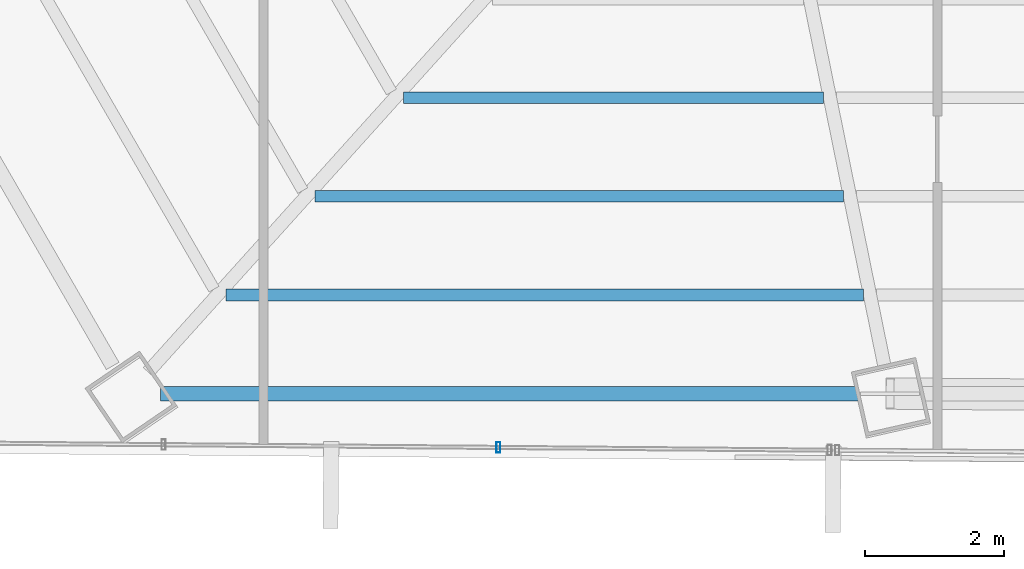
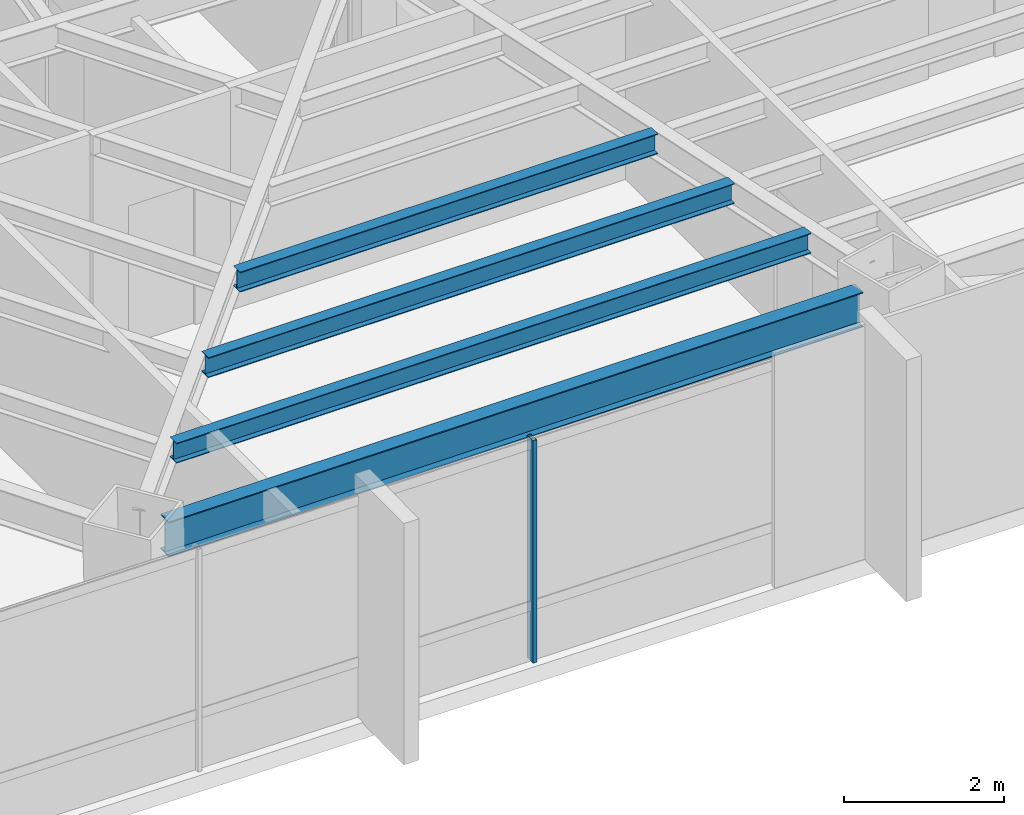
# One storey, part 4 of 38: 4 beams, 1 member, 1 element without a shape of its own.
"""IFC4 building model written with IfcOpenShell, lengths in metres."""

import ifcopenshell
import ifcopenshell.guid

model = None  # the IFC model being written
_history = None  # IfcOwnerHistory: only IFC2X3 demands one
_inside = {}  # id of a spatial element -> (the spatial element, [elements in it])
_under = {}  # id of a project, library or spatial element -> (it, [spatial elements below it])
_declared = {}  # id of a project -> (the project, [libraries it declares])
_typed = {}  # id of a type object -> (the type object, [elements of that type])
_made_of = {}  # id of a material, layer set ... -> (it, [elements and type objects made of it])


def new_model(schema):
    """Start an empty IFC model of exactly this schema.

    Asked for "IFC4X3", IfcOpenShell would pick the latest addendum, in which some entities
    have other attributes; the version numbers below select the first issue.
    IFC2X3 requires an IfcOwnerHistory on every rooted entity: one is made here for all.
    """
    global model, _history
    if schema == "IFC4X3":
        model = ifcopenshell.file(schema_version=(4, 3, 0, 0))
    else:
        model = ifcopenshell.file(schema=schema)
    _inside.clear()
    _under.clear()
    _declared.clear()
    _typed.clear()
    _made_of.clear()
    _history = None
    if model.schema == "IFC2X3":
        org = make("IfcOrganization", Name="unknown")
        user = make(
            "IfcPersonAndOrganization",
            ThePerson=make("IfcPerson", FamilyName="unknown"),
            TheOrganization=org,
        )
        app = make(
            "IfcApplication",
            ApplicationDeveloper=org,
            Version="unknown",
            ApplicationFullName="unknown",
            ApplicationIdentifier="unknown",
        )
        _history = make(
            "IfcOwnerHistory",
            OwningUser=user,
            OwningApplication=app,
            ChangeAction="ADDED",
            CreationDate=0,
        )
    return model


def make(cls, **values):
    """One entity of the class cls with the attributes given. An attribute that is None is left unset."""
    return model.create_entity(
        cls, **{name: value for name, value in values.items() if value is not None}
    )


def rooted(cls, **values):
    """An entity with a GlobalId (a new one), such as an element, a storey or a relation."""
    return make(cls, GlobalId=ifcopenshell.guid.new(), OwnerHistory=_history, **values)


def si_unit(unit_type, name, prefix=None):
    """IfcSIUnit, for example si_unit("LENGTHUNIT", "METRE", prefix="MILLI")."""
    return make("IfcSIUnit", UnitType=unit_type, Prefix=prefix, Name=name)


def assignment(units):
    """IfcUnitAssignment: the units of a project."""
    return None if units is None else make("IfcUnitAssignment", Units=units)


def point(xyz):
    """IfcCartesianPoint."""
    return None if xyz is None else make("IfcCartesianPoint", Coordinates=xyz)


def direction(xyz):
    """IfcDirection."""
    return None if xyz is None else make("IfcDirection", DirectionRatios=xyz)


def frame(location, z_axis=None, x_axis=None):
    """IfcAxis2Placement3D, a coordinate frame: its origin and axes. An axis left out is left unset."""
    return make(
        "IfcAxis2Placement3D",
        Location=point(location),
        Axis=direction(z_axis),
        RefDirection=direction(x_axis),
    )


def frame_2d(location, x_axis=None):
    """IfcAxis2Placement2D, a coordinate frame in the plane: its origin and x axis."""
    return make(
        "IfcAxis2Placement2D", Location=point(location), RefDirection=direction(x_axis)
    )


def origin():
    """The frame at (0, 0, 0) with its axes left unset."""
    return frame((0.0, 0.0, 0.0))


def origin_2d():
    """The frame at (0, 0) in the plane with its x axis left unset."""
    return frame_2d((0.0, 0.0))


def place(relative_to, where):
    """IfcLocalPlacement: puts the frame where relative to a parent placement (None: the world)."""
    return make(
        "IfcLocalPlacement", PlacementRelTo=relative_to, RelativePlacement=where
    )


def context(
    kind, dimensions, precision=None, world=None, true_north=None, identifier=None
):
    """IfcGeometricRepresentationContext, for example the 3D "Model" context."""
    return make(
        "IfcGeometricRepresentationContext",
        ContextIdentifier=identifier,
        ContextType=kind,
        CoordinateSpaceDimension=dimensions,
        Precision=precision,
        WorldCoordinateSystem=world,
        TrueNorth=true_north,
    )


def subcontext(parent, identifier, kind, view, scale=None):
    """IfcGeometricRepresentationSubContext, for example "Body" below "Model"."""
    return make(
        "IfcGeometricRepresentationSubContext",
        ContextIdentifier=identifier,
        ContextType=kind,
        ParentContext=parent,
        TargetScale=scale,
        TargetView=view,
    )


def project(units=None, contexts=None):
    """IfcProject with its units and contexts."""
    return rooted(
        "IfcProject",
        Name="project",
        RepresentationContexts=contexts,
        UnitsInContext=assignment(units),
    )


def spatial(cls, under=None, at=None, **own):
    """A site, building, storey or space (cls), placed at a placement, below another one or the project."""
    s = rooted(cls, ObjectPlacement=at, **own)
    if under is not None:
        _under.setdefault(under.id(), (under, []))[1].append(s)
    return s


def profile(cls, at=None, kind="AREA", **sizes):
    """A parametric profile (cls). Its sizes go by their IFC names, for example OverallWidth=200.0."""
    return make(cls, ProfileType=kind, Position=at, **sizes)


def hollow_rectangle(**sizes):
    """IfcRectangleHollowProfileDef."""
    return profile("IfcRectangleHollowProfileDef", **sizes)


def i_section(**sizes):
    """IfcIShapeProfileDef."""
    return profile("IfcIShapeProfileDef", **sizes)


def extrude(swept, where, along, depth):
    """IfcExtrudedAreaSolid: the profile swept, set in the frame where, extruded along a direction by depth."""
    return make(
        "IfcExtrudedAreaSolid",
        SweptArea=swept,
        Position=where,
        ExtrudedDirection=direction(along),
        Depth=depth,
    )


def shape(context_of_items, identifier, shape_type, items):
    """IfcShapeRepresentation: the items that make up one representation, for example the "Body"."""
    return make(
        "IfcShapeRepresentation",
        ContextOfItems=context_of_items,
        RepresentationIdentifier=identifier,
        RepresentationType=shape_type,
        Items=items,
    )


def source(mapping_origin, context_of_items, identifier, shape_type, items):
    """IfcRepresentationMap: a shape defined once, which mapped items show again and again."""
    return make(
        "IfcRepresentationMap",
        MappingOrigin=mapping_origin,
        MappedRepresentation=shape(context_of_items, identifier, shape_type, items),
    )


def transform(
    local_origin,
    x_axis=None,
    y_axis=None,
    z_axis=None,
    scale=None,
    scale2=None,
    scale3=None,
    uniform=True,
):
    """IfcCartesianTransformationOperator3D, or its non-uniform kind. x_axis, y_axis, z_axis: its Axis1, 2, 3."""
    if uniform:
        return make(
            "IfcCartesianTransformationOperator3D",
            Axis1=direction(x_axis),
            Axis2=direction(y_axis),
            LocalOrigin=point(local_origin),
            Scale=scale,
            Axis3=direction(z_axis),
        )
    return make(
        "IfcCartesianTransformationOperator3DnonUniform",
        Axis1=direction(x_axis),
        Axis2=direction(y_axis),
        LocalOrigin=point(local_origin),
        Scale=scale,
        Axis3=direction(z_axis),
        Scale2=scale2,
        Scale3=scale3,
    )


def mapped(mapping_source, mapping_target):
    """IfcMappedItem: shows the shape of a source again, moved by a transform."""
    return make(
        "IfcMappedItem", MappingSource=mapping_source, MappingTarget=mapping_target
    )


def material(Name=None, Category=None):
    """IfcMaterial."""
    return make("IfcMaterial", Name=Name, Category=Category)


def material_profile(
    of_material, cross_section, Name=None, Category=None, Priority=None
):
    """IfcMaterialProfile: a cross section and its material."""
    return make(
        "IfcMaterialProfile",
        Name=Name,
        Material=of_material,
        Profile=cross_section,
        Priority=Priority,
        Category=Category,
    )


def profile_set(profiles, Name=None, composite=None):
    """IfcMaterialProfileSet."""
    return make(
        "IfcMaterialProfileSet",
        Name=Name,
        MaterialProfiles=profiles,
        CompositeProfile=composite,
    )


def made_of(thing, what):
    """Note that an element or type object is made of a material, layer set ...; save() writes the relation."""
    if what is not None:
        _made_of.setdefault(what.id(), (what, []))[1].append(thing)
    return thing


def type_object(cls, material=None, **own):
    """A type object (cls), such as IfcWallType, which elements share."""
    return made_of(rooted(cls, **own), material)


def type_shapes(of_type, sources):
    """Give a type object the sources (RepresentationMaps) that its elements show as mapped items."""
    of_type.RepresentationMaps = sources


def element(
    cls,
    number,
    at=None,
    inside=None,
    cuts=None,
    type_object=None,
    material=None,
    context=None,
    identifier="Body",
    shape_type=None,
    held_by="IfcProductDefinitionShape",
    body=None,
    shapes=None,
    **own,
):
    """One element of the class cls, such as IfcWall. Its Tag is "e" and its number.

    at: its placement. inside: the storey or other place that contains it. cuts: it is an
    opening in that element (IfcRelVoidsElement). A single representation is given by context,
    identifier, shape_type and body (its items); several are given by shapes. held_by: the class
    of the entity that holds the representations. save() writes the other relations.
    """
    e = rooted(cls, Tag="e%d" % number, ObjectPlacement=at, **own)
    if body is not None:
        shapes = [shape(context, identifier, shape_type, body)]
    if shapes is not None:
        e.Representation = make(held_by, Representations=shapes)
    if inside is not None:
        _inside.setdefault(inside.id(), (inside, []))[1].append(e)
    if cuts is not None:
        rooted(
            "IfcRelVoidsElement", RelatingBuildingElement=cuts, RelatedOpeningElement=e
        )
    if type_object is not None:
        _typed.setdefault(type_object.id(), (type_object, []))[1].append(e)
    return made_of(e, material)


def aggregate(whole, parts):
    """IfcRelAggregates: a whole, such as a stair, and the parts it consists of."""
    return rooted("IfcRelAggregates", RelatingObject=whole, RelatedObjects=parts)


def save(model, path):
    """Write the relations noted so far, then the file.

    IfcRelAggregates (storeys below a building ...), IfcRelContainedInSpatialStructure (elements
    in a storey), IfcRelDefinesByType, IfcRelAssociatesMaterial and IfcRelDeclares: one each for
    every whole, place, type object, material and project.
    """
    for whole, parts in _under.values():
        aggregate(whole, parts)
    for where, things in _inside.values():
        rooted(
            "IfcRelContainedInSpatialStructure",
            RelatedElements=things,
            RelatingStructure=where,
        )
    for kind, things in _typed.values():
        rooted("IfcRelDefinesByType", RelatedObjects=things, RelatingType=kind)
    for what, things in _made_of.values():
        rooted("IfcRelAssociatesMaterial", RelatedObjects=things, RelatingMaterial=what)
    for by, libraries in _declared.values():
        rooted("IfcRelDeclares", RelatingContext=by, RelatedDefinitions=libraries)
    model.write(path)


model = new_model("IFC4")

# Units and contexts
model_context = context("Model", 3, precision=1e-05, world=origin(), true_north=direction((0.0, 1.0)))
body_context = subcontext(model_context, "Body", "Model", "MODEL_VIEW")
ifc_project = project(units=[si_unit("LENGTHUNIT", "METRE"), si_unit("AREAUNIT", "SQUARE_METRE"), si_unit("VOLUMEUNIT", "CUBIC_METRE"), si_unit("PLANEANGLEUNIT", "RADIAN"), si_unit("MASSUNIT", "GRAM", prefix="KILO")], contexts=[model_context])

# Site, building, storey
site_placement = place(None, origin())
site = spatial("IfcSite", under=ifc_project, at=site_placement, CompositionType="ELEMENT")
building_placement = place(site_placement, origin())
building = spatial("IfcBuilding", under=site, at=building_placement, Name="Caelisora Broadcast Tower", CompositionType="ELEMENT")
storey_placement = place(building_placement, frame((0.0, 0.0, 158.5)))
storey = spatial("IfcBuildingStorey", under=building, at=storey_placement, Name="L41", CompositionType="ELEMENT", Elevation=158.5)

# Beams
ifc_material_1 = material(Name="Steel Grade 350 (AS/NZS 3679.1)", Category="steel")
ifc_material_profile_1 = material_profile(ifc_material_1, i_section(OverallWidth=0.208984375, OverallDepth=0.532958984375, WebThickness=0.01025390625, FlangeThickness=0.015625, at=origin_2d()), Name="Steel Grade 350 (AS/NZS 3679.1)")
ifc_profile_set_1 = profile_set([ifc_material_profile_1], Name="Steel Grade 350 (AS/NZS 3679.1)")
beam_type_1 = type_object("IfcBeamType", Name="PG05", PredefinedType="BEAM", material=ifc_profile_set_1)
shared_shape_1 = source(origin(), body_context, "Body", "SweptSolid", [
    extrude(i_section(OverallWidth=0.208984375, OverallDepth=0.532958984375, WebThickness=0.01025390625, FlangeThickness=0.015625, at=origin_2d()), origin(), (0.0, 0.0, 1.0), 10.043212890625),
])
type_shapes(beam_type_1, [shared_shape_1])
beam_1_placement = place(storey_placement, frame((22.015380859375, 7.465087890625, 3.133544921875), z_axis=(1.0, 0.0, 0.0), x_axis=(0.0, 1.0, 0.0)))
element("IfcBeam", 1, at=beam_1_placement, inside=storey, type_object=beam_type_1, Name="L41 beam PG05", PredefinedType="BEAM", context=body_context, shape_type="MappedRepresentation", body=[
    mapped(shared_shape_1, transform((0.0, 0.0, 0.0), scale=1.0)),
])
ifc_material_profile_2 = material_profile(ifc_material_1, i_section(OverallWidth=0.166015625, OverallDepth=0.30712890625, WebThickness=0.006591796875, FlangeThickness=0.01171875, at=origin_2d()), Name="Steel Grade 350 (AS/NZS 3679.1)")
ifc_profile_set_2 = profile_set([ifc_material_profile_2], Name="Steel Grade 350 (AS/NZS 3679.1)")
beam_type_2 = type_object("IfcBeamType", Name="SB03", PredefinedType="JOIST", material=ifc_profile_set_2)
shared_shape_2 = source(origin(), body_context, "Body", "SweptSolid", [
    extrude(i_section(OverallWidth=0.166015625, OverallDepth=0.30712890625, WebThickness=0.006591796875, FlangeThickness=0.01171875, at=origin_2d()), origin(), (0.0, 0.0, 1.0), 6.04443359375),
])
beam_2_placement = place(storey_placement, frame((25.514404296875, 11.722900390625, 3.246337890625), z_axis=(1.0, 0.0, 0.0), x_axis=(0.0, 1.0, 0.0)))
element("IfcBeam", 2, at=beam_2_placement, inside=storey, type_object=beam_type_2, Name="L41 beam SB03", PredefinedType="JOIST", context=body_context, shape_type="MappedRepresentation", body=[
    mapped(shared_shape_2, transform((0.0, 0.0, 0.0), scale=1.0)),
])
shared_shape_3 = source(origin(), body_context, "Body", "SweptSolid", [
    extrude(i_section(OverallWidth=0.166015625, OverallDepth=0.30712890625, WebThickness=0.006591796875, FlangeThickness=0.01171875, at=origin_2d()), origin(), (0.0, 0.0, 1.0), 7.61083984375),
])
beam_3_placement = place(storey_placement, frame((24.236572265625, 10.3037109375, 3.246337890625), z_axis=(1.0, 0.0, 0.0), x_axis=(0.0, 1.0, 0.0)))
element("IfcBeam", 3, at=beam_3_placement, inside=storey, type_object=beam_type_2, Name="L41 beam SB03", PredefinedType="JOIST", context=body_context, shape_type="MappedRepresentation", body=[
    mapped(shared_shape_3, transform((0.0, 0.0, 0.0), scale=1.0)),
])
shared_shape_4 = source(origin(), body_context, "Body", "SweptSolid", [
    extrude(i_section(OverallWidth=0.166015625, OverallDepth=0.30712890625, WebThickness=0.006591796875, FlangeThickness=0.01171875, at=origin_2d()), origin(), (0.0, 0.0, 1.0), 9.1767578125),
])
type_shapes(beam_type_2, [shared_shape_2, shared_shape_3, shared_shape_4])
beam_4_placement = place(storey_placement, frame((22.958740234375, 8.884521484375, 3.246337890625), z_axis=(1.0, 0.0, 0.0), x_axis=(0.0, 1.0, 0.0)))
element("IfcBeam", 4, at=beam_4_placement, inside=storey, type_object=beam_type_2, Name="L41 beam SB03", PredefinedType="JOIST", context=body_context, shape_type="MappedRepresentation", body=[
    mapped(shared_shape_4, transform((0.0, 0.0, 0.0), scale=1.0)),
])

# Curtain wall, member
ifc_material_2 = material(Name="Unitised Aluminium and Low-E Glass Curtain Wall", Category="glass")
curtain_wall_type = type_object("IfcCurtainWallType", Name="CW-Z3", PredefinedType="NOTDEFINED", material=ifc_material_2)
curtain_wall_placement = place(storey_placement, origin())
curtain_wall = element("IfcCurtainWall", 5, at=curtain_wall_placement, inside=storey, type_object=curtain_wall_type, Name="L41 curtain wall CW-Z3", PredefinedType="NOTDEFINED")
ifc_material_3 = material(Name="Aluminium 6063-T6 Anodised Terracotta Bronze", Category="aluminium")
ifc_material_profile_3 = material_profile(ifc_material_3, hollow_rectangle(XDim=0.06005859375, YDim=0.14990234375, WallThickness=0.00341796875, at=origin_2d()), Name="Aluminium 6063-T6 Anodised Terracotta Bronze")
ifc_profile_set_3 = profile_set([ifc_material_profile_3], Name="Aluminium 6063-T6 Anodised Terracotta Bronze")
member_type = type_object("IfcMemberType", Name="CWM-03", PredefinedType="MULLION", material=ifc_profile_set_3)
shared_shape_5 = source(origin(), body_context, "Body", "SweptSolid", [
    extrude(hollow_rectangle(XDim=0.06005859375, YDim=0.14990234375, WallThickness=0.00341796875, at=origin_2d()), origin(), (0.0, 0.0, 1.0), 3.39990234375),
])
type_shapes(member_type, [shared_shape_5])
member_placement = place(storey_placement, frame((26.879150390625, 6.689697265625, 0.0), z_axis=(0.0, 0.0, 1.0), x_axis=(1.0, 0.0, 0.0)))
member = element("IfcMember", 6, at=member_placement, type_object=member_type, Name="L41-CW-B07 mullion #1", PredefinedType="MULLION", context=body_context, shape_type="MappedRepresentation", body=[
    mapped(shared_shape_5, transform((0.0, 0.0, 0.0), scale=1.0)),
])
aggregate(curtain_wall, [member])

save(model, "model.ifc")
